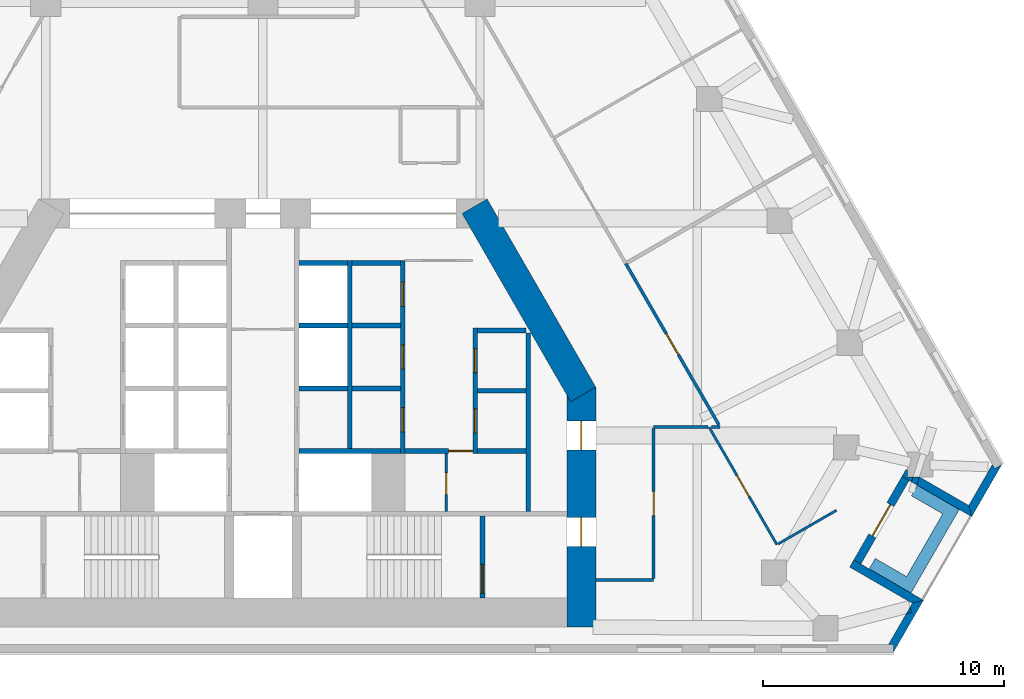
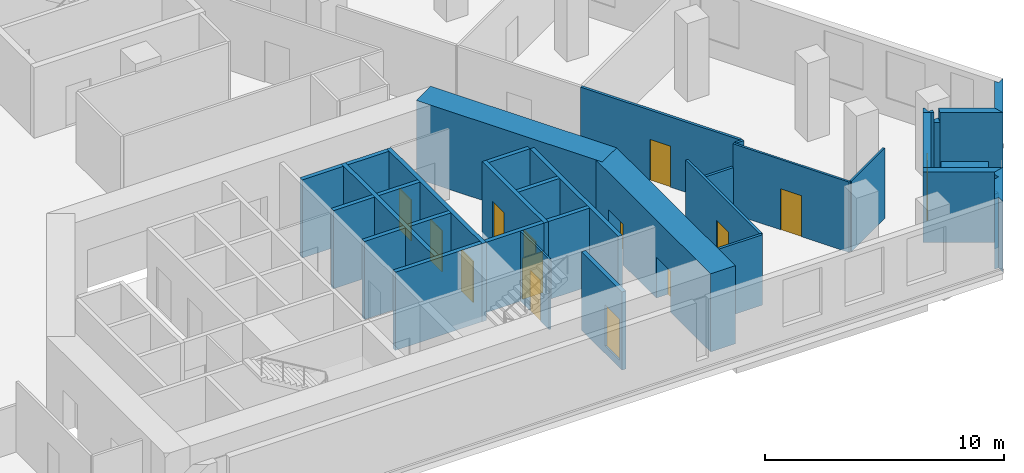
# One storey, part 6 of 9: 35 walls, 14 doors, 14 openings.
"""IFC4 building model written with IfcOpenShell, lengths in metres."""

from ifc_helpers import new_model, si_unit, direction, frame, frame_2d, origin, place, context, subcontext, project, spatial, polyline, rectangle, outline, extrude, material, layer, layer_set, type_object, element, fill, save


model = new_model("IFC4")

# Units and contexts
model_context = context("Model", 3, precision=1e-05, world=origin(), true_north=direction((0.0, 1.0)))
body_context = subcontext(model_context, "Body", "Model", "MODEL_VIEW")
ifc_project = project(units=[si_unit("LENGTHUNIT", "METRE"), si_unit("AREAUNIT", "SQUARE_METRE"), si_unit("VOLUMEUNIT", "CUBIC_METRE"), si_unit("PLANEANGLEUNIT", "RADIAN"), si_unit("MASSUNIT", "GRAM", prefix="KILO")], contexts=[model_context])

# Site, building, storey
site_placement = place(None, origin())
site = spatial("IfcSite", under=ifc_project, at=site_placement, CompositionType="ELEMENT")
building_placement = place(site_placement, origin())
building = spatial("IfcBuilding", under=site, at=building_placement, Name="Fogline Exchange Tower", CompositionType="ELEMENT")
storey_placement = place(building_placement, frame((0.0, 0.0, 100.10009765625)))
storey = spatial("IfcBuildingStorey", under=building, at=storey_placement, Name="L21", CompositionType="ELEMENT", Elevation=100.10009765625)

# Wall, opening, door
ifc_material_1 = material(Name="Blockwork partition", Category="masonry")
ifc_layer_1 = layer(ifc_material_1, 0.10009765625)
ifc_layer_set_1 = layer_set([ifc_layer_1], Name="CW10")
wall_type_1 = type_object("IfcWallType", Name="CW10", PredefinedType="PARTITIONING", material=ifc_layer_set_1)
wall_1_placement = place(storey_placement, frame((7.60009765625, 5.85009765625, 0.0), z_axis=(0.0, 0.0, 1.0), x_axis=(0.0, 1.0, 0.0)))
wall_1 = element("IfcWall", 1, at=wall_1_placement, inside=storey, type_object=wall_type_1, Name="WC partition", PredefinedType="PARTITIONING", context=body_context, shape_type="SweptSolid", body=[
    extrude(rectangle(XDim=2.39990234375, YDim=0.10009765625, at=frame_2d((1.199951171875, 0.0))), origin(), (0.0, 0.0, 1.0), 3.599853515625),
])
opening_1_placement = place(wall_1_placement, frame((0.699951171875, 0.0, 0.0)))
opening_1 = element("IfcOpeningElement", 2, at=opening_1_placement, cuts=wall_1, Name="Opening T06-C014", PredefinedType="OPENING", context=body_context, shape_type="SweptSolid", body=[
    extrude(rectangle(XDim=0.89990234375, YDim=2.10009765625, at=frame_2d((0.449951171875, 1.050048828125))), frame((0.0, 0.06005859375, 0.0), z_axis=(0.0, -1.0, 0.0), x_axis=(1.0, 0.0, 0.0)), (0.0, 0.0, 1.0), 0.1201171875),
])
ifc_material_2 = material(Name="Steel and timber fire door", Category="steel")
door_type_1 = type_object("IfcDoorType", Name="D-CS1", OperationType="SINGLE_SWING_RIGHT", PredefinedType="DOOR", material=ifc_material_2)
door_1_placement = place(opening_1_placement, origin())
door_1 = element("IfcDoor", 3, at=door_1_placement, inside=storey, type_object=door_type_1, Name="Door to Cleaner's Store", OperationType="SINGLE_SWING_LEFT", OverallHeight=2.10009765625, OverallWidth=0.89990234375, PredefinedType="DOOR", context=body_context, shape_type="SweptSolid", body=[
    extrude(rectangle(XDim=0.89990234375, YDim=2.10009765625, at=frame_2d((0.449951171875, 1.050048828125))), frame((0.0, 0.02490234375, 0.0), z_axis=(0.0, -1.0, 0.0), x_axis=(1.0, 0.0, 0.0)), (0.0, 0.0, 1.0), 0.050048828125),
])
fill(opening_1, door_1)

# Wall
ifc_material_3 = material(Name="Concrete C40", Category="concrete")
ifc_layer_2 = layer(ifc_material_3, 0.199951171875)
ifc_layer_set_2 = layer_set([ifc_layer_2], Name="CW20")
wall_type_2 = type_object("IfcWallType", Name="CW20", PredefinedType="SOLIDWALL", material=ifc_layer_set_2)
wall_2_placement = place(storey_placement, frame((11.0, 5.85009765625, 0.0), z_axis=(0.0, 0.0, 1.0), x_axis=(0.0, 1.0, 0.0)))
element("IfcWall", 4, at=wall_2_placement, inside=storey, type_object=wall_type_2, Name="Service room wall", PredefinedType="SOLIDWALL", context=body_context, shape_type="SweptSolid", body=[
    extrude(rectangle(XDim=7.39990234375, YDim=0.199951171875, at=frame_2d((3.699951171875, 0.0))), origin(), (0.0, 0.0, 1.0), 3.599853515625),
])

# Wall, opening, door
wall_3_placement = place(storey_placement, frame((5.89990234375, 8.35009765625, 0.0), z_axis=(0.0, 0.0, 1.0), x_axis=(1.0, 0.0, 0.0)))
wall_3 = element("IfcWall", 5, at=wall_3_placement, inside=storey, type_object=wall_type_2, Name="WC wall", PredefinedType="SOLIDWALL", context=body_context, shape_type="SweptSolid", body=[
    extrude(rectangle(XDim=2.800048828125, YDim=0.199951171875, at=frame_2d((1.39990234375, 0.0))), origin(), (0.0, 0.0, 1.0), 3.599853515625),
])
opening_2_placement = place(wall_3_placement, frame((1.800048828125, 0.0, 0.0)))
opening_2 = element("IfcOpeningElement", 6, at=opening_2_placement, cuts=wall_3, Name="Opening T06-C013", PredefinedType="OPENING", context=body_context, shape_type="SweptSolid", body=[
    extrude(rectangle(XDim=1.0, YDim=2.10009765625, at=frame_2d((0.5, 1.050048828125))), frame((0.0, 0.10986328125, 0.0), z_axis=(0.0, -1.0, 0.0), x_axis=(1.0, 0.0, 0.0)), (0.0, 0.0, 1.0), 0.219970703125),
])
door_type_2 = type_object("IfcDoorType", Name="D-WC1", OperationType="SINGLE_SWING_LEFT", PredefinedType="DOOR", material=ifc_material_2)
door_2_placement = place(opening_2_placement, frame((1.0, 0.0, 0.0), z_axis=(0.0, 0.0, 1.0), x_axis=(-1.0, 0.0, 0.0)))
door_2 = element("IfcDoor", 7, at=door_2_placement, inside=storey, type_object=door_type_2, Name="Door to Women's WC", OperationType="SINGLE_SWING_LEFT", OverallHeight=2.10009765625, OverallWidth=1.0, PredefinedType="DOOR", context=body_context, shape_type="SweptSolid", body=[
    extrude(rectangle(XDim=1.0, YDim=2.10009765625, at=frame_2d((0.5, 1.050048828125))), frame((0.0, 0.02490234375, 0.0), z_axis=(0.0, -1.0, 0.0), x_axis=(1.0, 0.0, 0.0)), (0.0, 0.0, 1.0), 0.050048828125),
])
fill(opening_2, door_2)

ifc_layer_3 = layer(ifc_material_3, 0.199951171875)
ifc_layer_set_3 = layer_set([ifc_layer_3], Name="CW20R")
wall_type_3 = type_object("IfcWallType", Name="CW20R", PredefinedType="SOLIDWALL", material=ifc_layer_set_3)
wall_4_placement = place(storey_placement, frame((9.10009765625, 2.25, -0.400146484375), z_axis=(0.0, 0.0, 1.0), x_axis=(0.0, 1.0, 0.0)))
wall_4 = element("IfcWall", 8, at=wall_4_placement, inside=storey, type_object=wall_type_3, Name="Stair enclosure wall", PredefinedType="SOLIDWALL", context=body_context, shape_type="SweptSolid", body=[
    extrude(rectangle(XDim=3.39990234375, YDim=0.199951171875, at=frame_2d((1.699951171875, 0.0))), origin(), (0.0, 0.0, 1.0), 4.0),
])
opening_3_placement = place(wall_4_placement, frame((0.199951171875, 0.0, 0.39990234375)))
opening_3 = element("IfcOpeningElement", 9, at=opening_3_placement, cuts=wall_4, Name="Opening T06-C016", PredefinedType="OPENING", context=body_context, shape_type="SweptSolid", body=[
    extrude(rectangle(XDim=1.199951171875, YDim=2.10009765625, at=frame_2d((0.60009765625, 1.050048828125))), frame((0.0, 0.10986328125, 0.0), z_axis=(0.0, -1.0, 0.0), x_axis=(1.0, 0.0, 0.0)), (0.0, 0.0, 1.0), 0.219970703125),
])
door_type_3 = type_object("IfcDoorType", Name="D-ST1", OperationType="SINGLE_SWING_LEFT", PredefinedType="DOOR", material=ifc_material_2)
door_3_placement = place(opening_3_placement, origin())
door_3 = element("IfcDoor", 10, at=door_3_placement, inside=storey, type_object=door_type_3, Name="Stair door ST2", OperationType="SINGLE_SWING_LEFT", OverallHeight=2.10009765625, OverallWidth=1.199951171875, PredefinedType="DOOR", context=body_context, shape_type="SweptSolid", body=[
    extrude(rectangle(XDim=1.199951171875, YDim=2.10009765625, at=frame_2d((0.60009765625, 1.050048828125))), frame((0.0, 0.02490234375, 0.0), z_axis=(0.0, -1.0, 0.0), x_axis=(1.0, 0.0, 0.0)), (0.0, 0.0, 1.0), 0.050048828125),
])
fill(opening_3, door_3)

# Wall, openings, doors
ifc_layer_4 = layer(ifc_material_3, 0.199951171875)
ifc_layer_set_4 = layer_set([ifc_layer_4], Name="CW20S")
wall_type_4 = type_object("IfcWallType", Name="CW20S", PredefinedType="SOLIDWALL", material=ifc_layer_set_4)
wall_5_placement = place(storey_placement, frame((8.800048828125, 8.25, -0.400146484375), z_axis=(0.0, 0.0, 1.0), x_axis=(0.0, 1.0, 0.0)))
wall_5 = element("IfcWall", 11, at=wall_5_placement, inside=storey, type_object=wall_type_4, Name="Lift shaft wall", PredefinedType="SOLIDWALL", context=body_context, shape_type="SweptSolid", body=[
    extrude(rectangle(XDim=5.199951171875, YDim=0.199951171875, at=frame_2d((2.60009765625, 0.0))), origin(), (0.0, 0.0, 1.0), 4.0),
])
opening_4_placement = place(wall_5_placement, frame((0.85009765625, 0.0, 0.39990234375)))
opening_4 = element("IfcOpeningElement", 12, at=opening_4_placement, cuts=wall_5, Name="Opening T06-C001", PredefinedType="OPENING", context=body_context, shape_type="SweptSolid", body=[
    extrude(rectangle(XDim=1.0, YDim=2.10009765625, at=frame_2d((0.5, 1.050048828125))), frame((0.0, 0.10986328125, 0.0), z_axis=(0.0, -1.0, 0.0), x_axis=(1.0, 0.0, 0.0)), (0.0, 0.0, 1.0), 0.219970703125),
])
opening_5_placement = place(wall_5_placement, frame((3.35009765625, 0.0, 0.39990234375)))
opening_5 = element("IfcOpeningElement", 13, at=opening_5_placement, cuts=wall_5, Name="Opening T06-C002", PredefinedType="OPENING", context=body_context, shape_type="SweptSolid", body=[
    extrude(rectangle(XDim=1.0, YDim=2.10009765625, at=frame_2d((0.5, 1.050048828125))), frame((0.0, 0.10986328125, 0.0), z_axis=(0.0, -1.0, 0.0), x_axis=(1.0, 0.0, 0.0)), (0.0, 0.0, 1.0), 0.219970703125),
])
door_type_4 = type_object("IfcDoorType", Name="D-RM1", OperationType="SINGLE_SWING_LEFT", PredefinedType="DOOR", material=ifc_material_2)
door_4_placement = place(opening_4_placement, frame((1.0, 0.0, 0.0), z_axis=(0.0, 0.0, 1.0), x_axis=(-1.0, 0.0, 0.0)))
door_4 = element("IfcDoor", 14, at=door_4_placement, inside=storey, type_object=door_type_4, Name="Door to Library Store", OperationType="SINGLE_SWING_LEFT", OverallHeight=2.10009765625, OverallWidth=1.0, PredefinedType="DOOR", context=body_context, shape_type="SweptSolid", body=[
    extrude(rectangle(XDim=1.0, YDim=2.10009765625, at=frame_2d((0.5, 1.050048828125))), frame((0.0, 0.02490234375, 0.0), z_axis=(0.0, -1.0, 0.0), x_axis=(1.0, 0.0, 0.0)), (0.0, 0.0, 1.0), 0.050048828125),
])
fill(opening_4, door_4)
door_5_placement = place(opening_5_placement, frame((1.0, 0.0, 0.0), z_axis=(0.0, 0.0, 1.0), x_axis=(-1.0, 0.0, 0.0)))
door_5 = element("IfcDoor", 15, at=door_5_placement, inside=storey, type_object=door_type_4, Name="Door to Stationery Store", OperationType="SINGLE_SWING_LEFT", OverallHeight=2.10009765625, OverallWidth=1.0, PredefinedType="DOOR", context=body_context, shape_type="SweptSolid", body=[
    extrude(rectangle(XDim=1.0, YDim=2.10009765625, at=frame_2d((0.5, 1.050048828125))), frame((0.0, 0.02490234375, 0.0), z_axis=(0.0, -1.0, 0.0), x_axis=(1.0, 0.0, 0.0)), (0.0, 0.0, 1.0), 0.050048828125),
])
fill(opening_5, door_5)

wall_6_placement = place(storey_placement, frame((5.800048828125, 8.25, -0.400146484375), z_axis=(0.0, 0.0, 1.0), x_axis=(0.0, 1.0, 0.0)))
wall_6 = element("IfcWall", 16, at=wall_6_placement, inside=storey, type_object=wall_type_4, Name="Lift shaft wall", PredefinedType="SOLIDWALL", context=body_context, shape_type="SweptSolid", body=[
    extrude(rectangle(XDim=8.0, YDim=0.199951171875, at=frame_2d((4.0, 0.0))), origin(), (0.0, 0.0, 1.0), 4.0),
])
opening_6_placement = place(wall_6_placement, frame((0.89990234375, 0.0, 0.39990234375)))
opening_6 = element("IfcOpeningElement", 17, at=opening_6_placement, cuts=wall_6, Name="Opening T06-C003", PredefinedType="OPENING", context=body_context, shape_type="SweptSolid", body=[
    extrude(rectangle(XDim=1.0, YDim=2.10009765625, at=frame_2d((0.5, 1.050048828125))), frame((0.0, 0.10986328125, 0.0), z_axis=(0.0, -1.0, 0.0), x_axis=(1.0, 0.0, 0.0)), (0.0, 0.0, 1.0), 0.219970703125),
])
opening_7_placement = place(wall_6_placement, frame((3.5, 0.0, 0.39990234375)))
opening_7 = element("IfcOpeningElement", 18, at=opening_7_placement, cuts=wall_6, Name="Opening T06-C004", PredefinedType="OPENING", context=body_context, shape_type="SweptSolid", body=[
    extrude(rectangle(XDim=1.0, YDim=2.10009765625, at=frame_2d((0.5, 1.050048828125))), frame((0.0, 0.10986328125, 0.0), z_axis=(0.0, -1.0, 0.0), x_axis=(1.0, 0.0, 0.0)), (0.0, 0.0, 1.0), 0.219970703125),
])
opening_8_placement = place(wall_6_placement, frame((6.10009765625, 0.0, 0.39990234375)))
opening_8 = element("IfcOpeningElement", 19, at=opening_8_placement, cuts=wall_6, Name="Opening T06-C005", PredefinedType="OPENING", context=body_context, shape_type="SweptSolid", body=[
    extrude(rectangle(XDim=1.0, YDim=2.10009765625, at=frame_2d((0.5, 1.050048828125))), frame((0.0, 0.10986328125, 0.0), z_axis=(0.0, -1.0, 0.0), x_axis=(1.0, 0.0, 0.0)), (0.0, 0.0, 1.0), 0.219970703125),
])
door_6_placement = place(opening_6_placement, origin())
door_6 = element("IfcDoor", 20, at=door_6_placement, inside=storey, type_object=door_type_4, Name="Door to Records Store", OperationType="SINGLE_SWING_RIGHT", OverallHeight=2.10009765625, OverallWidth=1.0, PredefinedType="DOOR", context=body_context, shape_type="SweptSolid", body=[
    extrude(rectangle(XDim=1.0, YDim=2.10009765625, at=frame_2d((0.5, 1.050048828125))), frame((0.0, 0.02490234375, 0.0), z_axis=(0.0, -1.0, 0.0), x_axis=(1.0, 0.0, 0.0)), (0.0, 0.0, 1.0), 0.050048828125),
])
fill(opening_6, door_6)
door_7_placement = place(opening_7_placement, origin())
door_7 = element("IfcDoor", 21, at=door_7_placement, inside=storey, type_object=door_type_4, Name="Door to Riser Room", OperationType="SINGLE_SWING_LEFT", OverallHeight=2.10009765625, OverallWidth=1.0, PredefinedType="DOOR", context=body_context, shape_type="SweptSolid", body=[
    extrude(rectangle(XDim=1.0, YDim=2.10009765625, at=frame_2d((0.5, 1.050048828125))), frame((0.0, 0.02490234375, 0.0), z_axis=(0.0, -1.0, 0.0), x_axis=(1.0, 0.0, 0.0)), (0.0, 0.0, 1.0), 0.050048828125),
])
fill(opening_7, door_7)
door_8_placement = place(opening_8_placement, origin())
door_8 = element("IfcDoor", 22, at=door_8_placement, inside=storey, type_object=door_type_4, Name="Door to Plant Room", OperationType="SINGLE_SWING_LEFT", OverallHeight=2.10009765625, OverallWidth=1.0, PredefinedType="DOOR", context=body_context, shape_type="SweptSolid", body=[
    extrude(rectangle(XDim=1.0, YDim=2.10009765625, at=frame_2d((0.5, 1.050048828125))), frame((0.0, 0.02490234375, 0.0), z_axis=(0.0, -1.0, 0.0), x_axis=(1.0, 0.0, 0.0)), (0.0, 0.0, 1.0), 0.050048828125),
])
fill(opening_8, door_8)

# Walls
wall_7_placement = place(storey_placement, frame((3.60009765625, 8.449951171875, -0.400146484375), z_axis=(0.0, 0.0, 1.0), x_axis=(0.0, 1.0, 0.0)))
element("IfcWall", 23, at=wall_7_placement, inside=storey, type_object=wall_type_4, Name="Lift shaft wall", PredefinedType="SOLIDWALL", context=body_context, shape_type="SweptSolid", body=[
    extrude(rectangle(XDim=7.800048828125, YDim=0.199951171875, at=frame_2d((3.89990234375, 0.0))), origin(), (0.0, 0.0, 1.0), 4.0),
])
wall_8_placement = place(storey_placement, frame((8.89990234375, 8.35009765625, -0.400146484375), z_axis=(0.0, 0.0, 1.0), x_axis=(1.0, 0.0, 0.0)))
element("IfcWall", 24, at=wall_8_placement, inside=storey, type_object=wall_type_4, Name="Lift shaft wall", PredefinedType="SOLIDWALL", context=body_context, shape_type="SweptSolid", body=[
    extrude(rectangle(XDim=2.0, YDim=0.199951171875, at=frame_2d((1.0, 0.0))), origin(), (0.0, 0.0, 1.0), 4.0),
])
wall_9_placement = place(storey_placement, frame((1.5, 8.35009765625, -0.400146484375), z_axis=(0.0, 0.0, 1.0), x_axis=(1.0, 0.0, 0.0)))
element("IfcWall", 25, at=wall_9_placement, inside=storey, type_object=wall_type_4, Name="Lift shaft wall", PredefinedType="SOLIDWALL", context=body_context, shape_type="SweptSolid", body=[
    extrude(rectangle(XDim=4.199951171875, YDim=0.199951171875, at=frame_2d((2.10009765625, 0.0))), origin(), (0.0, 0.0, 1.0), 4.0),
])
for number, where, z_axis, x_axis, name in (
    (26, (8.89990234375, 10.85009765625, -0.400146484375), (0.0, 0.0, 1.0), (1.0, 0.0, 0.0), "Lift shaft wall"),
    (27, (8.89990234375, 13.35009765625, -0.400146484375), (0.0, 0.0, 1.0), (1.0, 0.0, 0.0), "Lift shaft wall"),
    (28, (3.699951171875, 10.949951171875, -0.400146484375), (0.0, 0.0, 1.0), (1.0, 0.0, 0.0), "Lift shaft wall"),
    (29, (3.699951171875, 13.550048828125, -0.400146484375), (0.0, 0.0, 1.0), (1.0, 0.0, 0.0), "Lift shaft wall"),
    (30, (3.699951171875, 16.14990234375, -0.400146484375), (0.0, 0.0, 1.0), (1.0, 0.0, 0.0), "Lift shaft wall"),
    (31, (1.5, 10.949951171875, -0.400146484375), (0.0, 0.0, 1.0), (1.0, 0.0, 0.0), "Lift shaft wall"),
    (32, (1.5, 13.550048828125, -0.400146484375), (0.0, 0.0, 1.0), (1.0, 0.0, 0.0), "Lift shaft wall"),
    (33, (1.5, 16.14990234375, -0.400146484375), (0.0, 0.0, 1.0), (1.0, 0.0, 0.0), "Lift shaft wall"),
):
    element("IfcWall", number, at=place(storey_placement, frame(where, z_axis=z_axis, x_axis=x_axis)), inside=storey, type_object=wall_type_4, Name=name, PredefinedType="SOLIDWALL", context=body_context, shape_type="SweptSolid", body=[
        extrude(rectangle(XDim=2.0, YDim=0.199951171875, at=frame_2d((1.0, 0.0))), origin(), (0.0, 0.0, 1.0), 4.0),
    ])
ifc_material_4 = material(Name="Brick masonry", Category="masonry")
ifc_layer_5 = layer(ifc_material_4, 0.340087890625)
ifc_layer_set_5 = layer_set([ifc_layer_5], Name="FW1")
wall_type_5 = type_object("IfcWallType", Name="FW1", PredefinedType="SOLIDWALL", material=ifc_layer_set_5)
wall_10_placement = place(storey_placement, origin())
element("IfcWall", 34, at=wall_10_placement, inside=storey, type_object=wall_type_5, Name="Brick wall L21 SE-c1", PredefinedType="SOLIDWALL", context=body_context, shape_type="SweptSolid", body=[
    extrude(outline(polyline([(26.828369140625, 1.876708984375), (26.884765625, 1.6572265625), (26.669677734375, 1.60205078125), (26.828369140625, 1.876708984375)])), origin(), (0.0, 0.0, 1.0), 2.7998046875),
])
wall_11_placement = place(storey_placement, origin())
element("IfcWall", 35, at=wall_11_placement, inside=storey, type_object=wall_type_5, Name="Brick wall L21 SE-c1", PredefinedType="SOLIDWALL", context=body_context, shape_type="SweptSolid", body=[
    extrude(outline(polyline([(26.137939453125, -0.001220703125), (26.137451171875, -0.0009765625), (26.137451171875, 0.33935546875), (25.940673828125, 0.33935546875), (26.669677734375, 1.60205078125), (26.884765625, 1.6572265625), (26.828369140625, 1.876708984375), (26.923095703125, 2.041015625), (27.388916015625, 2.166015625), (27.38916015625, 2.165771484375), (26.137939453125, -0.001220703125)])), origin(), (0.0, 0.0, 1.0), 3.599853515625),
])
wall_12_placement = place(storey_placement, origin())
element("IfcWall", 36, at=wall_12_placement, inside=storey, type_object=wall_type_5, Name="Brick wall L21 SE-s1", PredefinedType="SOLIDWALL", context=body_context, shape_type="SweptSolid", body=[
    extrude(outline(polyline([(24.32470703125, 3.540283203125), (24.495361328125, 3.8359375), (24.790283203125, 3.66552734375), (27.38916015625, 2.1650390625), (27.38916015625, 2.164794921875), (26.923583984375, 2.0400390625), (24.32470703125, 3.540283203125)])), origin(), (0.0, 0.0, 1.0), 3.599853515625),
])

# Wall, opening, door
wall_13_placement = place(storey_placement, frame((24.642822265625, 3.75, 0.0), z_axis=(0.0, 0.0, 1.0), x_axis=(0.49999894854, 0.866026010844, 0.0)))
wall_13 = element("IfcWall", 37, at=wall_13_placement, inside=storey, type_object=wall_type_5, Name="Brick wall L21 SE-bk", PredefinedType="SOLIDWALL", context=body_context, shape_type="SweptSolid", body=[
    extrude(rectangle(XDim=4.0, YDim=0.340087890625, at=frame_2d((2.0, 0.0))), origin(), (0.0, 0.0, 1.0), 3.599853515625),
])
opening_9_placement = place(wall_13_placement, frame((1.25, 0.0, 0.0)))
opening_9 = element("IfcOpeningElement", 38, at=opening_9_placement, cuts=wall_13, Name="Opening T06-E081", PredefinedType="OPENING", context=body_context, shape_type="SweptSolid", body=[
    extrude(rectangle(XDim=1.5, YDim=2.39990234375, at=frame_2d((0.75, 1.199951171875))), frame((0.0, 0.18017578125, 0.0), z_axis=(0.0, -1.0, 0.0), x_axis=(1.0, 0.0, 0.0)), (0.0, 0.0, 1.0), 0.360107421875),
])
ifc_material_5 = material(Name="Aluminium and glass", Category="aluminium")
door_type_5 = type_object("IfcDoorType", Name="ED4", OperationType="SINGLE_SWING_LEFT", PredefinedType="DOOR", material=ifc_material_5)
door_9_placement = place(opening_9_placement, frame((1.5, 0.0, 0.0), z_axis=(0.0, 0.0, 1.0), x_axis=(-1.0, 0.0, 0.0)))
door_9 = element("IfcDoor", 39, at=door_9_placement, inside=storey, type_object=door_type_5, Name="Balcony door L21 SE", OperationType="DOUBLE_DOOR_SINGLE_SWING", OverallHeight=2.39990234375, OverallWidth=1.5, PredefinedType="DOOR", context=body_context, shape_type="SweptSolid", body=[
    extrude(rectangle(XDim=1.5, YDim=2.39990234375, at=frame_2d((0.75, 1.199951171875))), frame((0.0, 0.02490234375, 0.0), z_axis=(0.0, -1.0, 0.0), x_axis=(1.0, 0.0, 0.0)), (0.0, 0.0, 1.0), 0.050048828125),
])
fill(opening_9, door_9)

# Walls
wall_14_placement = place(storey_placement, origin())
element("IfcWall", 40, at=wall_14_placement, inside=storey, type_object=wall_type_5, Name="Brick wall L21 SE-s2", PredefinedType="SOLIDWALL", context=body_context, shape_type="SweptSolid", body=[
    extrude(outline(polyline([(26.887451171875, 7.072265625), (26.9501953125, 7.269287109375), (27.212646484375, 7.269287109375), (27.10888671875, 6.9443359375), (26.887451171875, 7.072265625)])), origin(), (0.0, 0.0, 1.0), 3.099853515625),
])
wall_15_placement = place(storey_placement, origin())
element("IfcWall", 41, at=wall_15_placement, inside=storey, type_object=wall_type_5, Name="Brick wall L21 SE-s2", PredefinedType="SOLIDWALL", context=body_context, shape_type="SweptSolid", body=[
    extrude(outline(polyline([(27.10888671875, 6.9443359375), (27.212646484375, 7.269287109375), (27.228515625, 7.269287109375), (29.26416015625, 6.093994140625), (29.388916015625, 5.62841796875), (29.388671875, 5.628173828125), (27.10888671875, 6.9443359375)])), origin(), (0.0, 0.0, 1.0), 3.599853515625),
])
wall_16_placement = place(storey_placement, origin())
element("IfcWall", 42, at=wall_16_placement, inside=storey, type_object=wall_type_5, Name="Brick wall L21 SE-s2", PredefinedType="SOLIDWALL", context=body_context, shape_type="SweptSolid", body=[
    extrude(outline(polyline([(26.78955078125, 7.128662109375), (26.49462890625, 7.298828125), (26.665283203125, 7.594482421875), (26.72412109375, 7.560546875), (26.72412109375, 7.269287109375), (26.9501953125, 7.269287109375), (26.887451171875, 7.072265625), (26.78955078125, 7.128662109375)])), origin(), (0.0, 0.0, 1.0), 3.599853515625),
])
wall_17_placement = place(storey_placement, origin())
element("IfcWall", 43, at=wall_17_placement, inside=storey, type_object=wall_type_5, Name="Brick wall L21 SE-c2", PredefinedType="SOLIDWALL", context=body_context, shape_type="SweptSolid", body=[
    extrude(outline(polyline([(30.245361328125, 7.79541015625), (30.34375, 7.625), (30.638671875, 7.79541015625), (30.63916015625, 7.794921875), (29.387939453125, 5.6279296875), (29.3876953125, 5.6279296875), (29.262939453125, 6.09375), (30.245361328125, 7.79541015625)])), origin(), (0.0, 0.0, 1.0), 3.599853515625),
])
ifc_material_6 = material(Name="Concrete C30", Category="concrete")
ifc_layer_6 = layer(ifc_material_6, 0.199951171875)
ifc_layer_set_6 = layer_set([ifc_layer_6], Name="PL1")
wall_type_6 = type_object("IfcWallType", Name="PL1", PredefinedType="USERDEFINED", material=ifc_layer_set_6)
wall_18_placement = place(storey_placement, origin())
element("IfcWall", 44, at=wall_18_placement, inside=storey, type_object=wall_type_6, Name="PLANTER balcony L21 SE", ObjectType="PLANTER", PredefinedType="USERDEFINED", context=body_context, shape_type="SweptSolid", body=[
    extrude(outline(polyline([(25.136474609375, 3.465087890625), (26.435302734375, 2.715087890625), (26.435302734375, 2.715087890625), (26.868408203125, 2.465087890625), (28.868408203125, 5.92919921875), (27.136474609375, 6.92919921875), (26.886474609375, 6.49609375), (28.185302734375, 5.74609375), (26.685302734375, 3.148193359375), (25.386474609375, 3.898193359375), (25.136474609375, 3.465087890625)])), origin(), (0.0, 0.0, 1.0), 1.099853515625),
])

# Wall, opening, door
ifc_material_7 = material(Name="Plasterboard partition, 2 layers each side on steel studs", Category="steel")
ifc_layer_7 = layer(ifc_material_7, 0.10009765625)
ifc_layer_set_7 = layer_set([ifc_layer_7], Name="PW1")
wall_type_7 = type_object("IfcWallType", Name="PW1", PredefinedType="PARTITIONING", material=ifc_layer_set_7)
wall_19_placement = place(storey_placement, frame((18.498779296875, 9.340087890625, 0.0), z_axis=(0.0, 0.0, 1.0), x_axis=(0.500014308813, -0.86601714243, 0.0)))
wall_19 = element("IfcWall", 45, at=wall_19_placement, inside=storey, type_object=wall_type_7, Name="wall-L21-W044", PredefinedType="PARTITIONING", context=body_context, shape_type="SweptSolid", body=[
    extrude(rectangle(XDim=5.623779296875, YDim=0.10009765625, at=frame_2d((2.81201171875, 0.0))), origin(), (0.0, 0.0, 1.0), 3.599853515625),
])
opening_10_placement = place(wall_19_placement, frame((2.31201171875, 0.0, 0.0)))
opening_10 = element("IfcOpeningElement", 46, at=opening_10_placement, cuts=wall_19, Name="Opening T06-D019", PredefinedType="OPENING", context=body_context, shape_type="SweptSolid", body=[
    extrude(rectangle(XDim=1.0, YDim=2.10009765625, at=frame_2d((0.5, 1.050048828125))), frame((0.0, 0.06005859375, 0.0), z_axis=(0.0, -1.0, 0.0), x_axis=(1.0, 0.0, 0.0)), (0.0, 0.0, 1.0), 0.1201171875),
])
ifc_material_8 = material(Name="Timber door leaf with steel frame", Category="steel")
door_type_6 = type_object("IfcDoorType", Name="D1", OperationType="SINGLE_SWING_LEFT", PredefinedType="DOOR", material=ifc_material_8)
door_10_placement = place(opening_10_placement, frame((1.0, 0.0, 0.0), z_axis=(0.0, 0.0, 1.0), x_axis=(-1.0, 0.0, 0.0)))
door_10 = element("IfcDoor", 47, at=door_10_placement, inside=storey, type_object=door_type_6, Name="door-L21-D019", OperationType="SINGLE_SWING_RIGHT", OverallHeight=2.10009765625, OverallWidth=1.0, PredefinedType="DOOR", context=body_context, shape_type="SweptSolid", body=[
    extrude(rectangle(XDim=1.0, YDim=2.10009765625, at=frame_2d((0.5, 1.050048828125))), frame((0.0, 0.02490234375, 0.0), z_axis=(0.0, -1.0, 0.0), x_axis=(1.0, 0.0, 0.0)), (0.0, 0.0, 1.0), 0.050048828125),
])
fill(opening_10, door_10)

# Wall
wall_20_placement = place(storey_placement, frame((21.35400390625, 4.49462890625, 0.0), z_axis=(0.0, 0.0, 1.0), x_axis=(0.866024457297, 0.500001639361, 0.0)))
element("IfcWall", 48, at=wall_20_placement, inside=storey, type_object=wall_type_7, Name="wall-L21-W045", PredefinedType="PARTITIONING", context=body_context, shape_type="SweptSolid", body=[
    extrude(rectangle(XDim=2.80078125, YDim=0.10009765625, at=frame_2d((1.400390625, 0.0))), origin(), (0.0, 0.0, 1.0), 3.599853515625),
])

# Wall, opening, door
ifc_material_9 = material(Name="Plasterboard corridor partition with mineral wool, 2 layers each side")
ifc_layer_8 = layer(ifc_material_9, 0.125)
ifc_layer_set_8 = layer_set([ifc_layer_8], Name="PW2")
wall_type_8 = type_object("IfcWallType", Name="PW2", PredefinedType="PARTITIONING", material=ifc_layer_set_8)
wall_21_placement = place(storey_placement, frame((16.199951171875, 9.277587890625, 0.0), z_axis=(0.0, 0.0, 1.0), x_axis=(0.0, -1.0, 0.0)))
wall_21 = element("IfcWall", 49, at=wall_21_placement, inside=storey, type_object=wall_type_8, Name="wall-L21-W001", PredefinedType="PARTITIONING", context=body_context, shape_type="SweptSolid", body=[
    extrude(rectangle(XDim=6.215087890625, YDim=0.125, at=frame_2d((3.107421875, 0.0))), origin(), (0.0, 0.0, 1.0), 3.599853515625),
])
opening_11_placement = place(wall_21_placement, frame((2.607421875, 0.0, 0.0)))
opening_11 = element("IfcOpeningElement", 50, at=opening_11_placement, cuts=wall_21, Name="Opening T06-D001", PredefinedType="OPENING", context=body_context, shape_type="SweptSolid", body=[
    extrude(rectangle(XDim=1.0, YDim=2.10009765625, at=frame_2d((0.5, 1.050048828125))), frame((0.0, 0.072509765625, 0.0), z_axis=(0.0, -1.0, 0.0), x_axis=(1.0, 0.0, 0.0)), (0.0, 0.0, 1.0), 0.14501953125),
])
ifc_material_10 = material(Name="Fire-rated timber door leaf with steel frame", Category="steel")
door_type_7 = type_object("IfcDoorType", Name="D3", OperationType="SINGLE_SWING_LEFT", PredefinedType="DOOR", material=ifc_material_10)
door_11_placement = place(opening_11_placement, origin())
door_11 = element("IfcDoor", 51, at=door_11_placement, inside=storey, type_object=door_type_7, Name="door-L21-D001", OperationType="SINGLE_SWING_LEFT", OverallHeight=2.10009765625, OverallWidth=1.0, PredefinedType="DOOR", context=body_context, shape_type="SweptSolid", body=[
    extrude(rectangle(XDim=1.0, YDim=2.10009765625, at=frame_2d((0.5, 1.050048828125))), frame((0.0, 0.02490234375, 0.0), z_axis=(0.0, -1.0, 0.0), x_axis=(1.0, 0.0, 0.0)), (0.0, 0.0, 1.0), 0.050048828125),
])
fill(opening_11, door_11)

# Walls
wall_22_placement = place(storey_placement, frame((16.199951171875, 3.0, 0.0), z_axis=(0.0, 0.0, 1.0), x_axis=(-1.0, 0.0, 0.0)))
element("IfcWall", 52, at=wall_22_placement, inside=storey, type_object=wall_type_8, Name="wall-L21-W002", PredefinedType="PARTITIONING", context=body_context, shape_type="SweptSolid", body=[
    extrude(rectangle(XDim=2.39990234375, YDim=0.125, at=frame_2d((1.199951171875, 0.0))), origin(), (0.0, 0.0, 1.0), 3.599853515625),
])
wall_23_placement = place(storey_placement, frame((18.455078125, 9.340087890625, 0.0), z_axis=(0.0, 0.0, 1.0), x_axis=(-1.0, 0.0, 0.0)))
element("IfcWall", 53, at=wall_23_placement, inside=storey, type_object=wall_type_8, Name="wall-L21-W024", PredefinedType="PARTITIONING", context=body_context, shape_type="SweptSolid", body=[
    extrude(rectangle(XDim=2.255126953125, YDim=0.125, at=frame_2d((1.12744140625, 0.0))), origin(), (0.0, 0.0, 1.0), 2.39990234375),
])

# Wall, opening, door
wall_24_placement = place(storey_placement, frame((15.043701171875, 16.12451171875, 0.0), z_axis=(0.0, 0.0, 1.0), x_axis=(0.499983247966, -0.86603507536, 0.0)))
wall_24 = element("IfcWall", 54, at=wall_24_placement, inside=storey, type_object=wall_type_8, Name="wall-L21-W025", PredefinedType="PARTITIONING", context=body_context, shape_type="SweptSolid", body=[
    extrude(rectangle(XDim=7.725341796875, YDim=0.125, at=frame_2d((3.86279296875, 0.0))), origin(), (0.0, 0.0, 1.0), 3.599853515625),
])
opening_12_placement = place(wall_24_placement, frame((3.36279296875, 0.0, 0.0)))
opening_12 = element("IfcOpeningElement", 55, at=opening_12_placement, cuts=wall_24, Name="Opening T06-D012", PredefinedType="OPENING", context=body_context, shape_type="SweptSolid", body=[
    extrude(rectangle(XDim=1.0, YDim=2.10009765625, at=frame_2d((0.5, 1.050048828125))), frame((0.0, 0.072509765625, 0.0), z_axis=(0.0, -1.0, 0.0), x_axis=(1.0, 0.0, 0.0)), (0.0, 0.0, 1.0), 0.14501953125),
])
door_12_placement = place(opening_12_placement, origin())
door_12 = element("IfcDoor", 56, at=door_12_placement, inside=storey, type_object=door_type_7, Name="door-L21-D012", OperationType="SINGLE_SWING_RIGHT", OverallHeight=2.10009765625, OverallWidth=1.0, PredefinedType="DOOR", context=body_context, shape_type="SweptSolid", body=[
    extrude(rectangle(XDim=1.0, YDim=2.10009765625, at=frame_2d((0.5, 1.050048828125))), frame((0.0, 0.02490234375, 0.0), z_axis=(0.0, -1.0, 0.0), x_axis=(1.0, 0.0, 0.0)), (0.0, 0.0, 1.0), 0.050048828125),
])
fill(opening_12, door_12)

# Wall
wall_25_placement = place(storey_placement, frame((18.960693359375, 9.340087890625, 0.0), z_axis=(0.0, 0.0, 1.0), x_axis=(-1.0, 0.0, 0.0)))
element("IfcWall", 57, at=wall_25_placement, inside=storey, type_object=wall_type_8, Name="wall-L21-W026", PredefinedType="PARTITIONING", context=body_context, shape_type="SweptSolid", body=[
    extrude(rectangle(XDim=0.36767578125, YDim=0.125, at=frame_2d((0.183837890625, 0.0))), origin(), (0.0, 0.0, 1.0), 3.599853515625),
])

# Wall, openings, doors
ifc_material_11 = material(Name="Concrete C60", Category="concrete")
ifc_layer_9 = layer(ifc_material_11, 1.199951171875)
ifc_layer_set_9 = layer_set([ifc_layer_9], Name="SW02")
wall_type_9 = type_object("IfcWallType", Name="SW02", PredefinedType="SHEAR", material=ifc_layer_set_9)
wall_26_placement = place(storey_placement, frame((13.199951171875, 1.050048828125, 0.0), z_axis=(0.0, 0.0, 1.0), x_axis=(0.0, 1.0, 0.0)))
wall_26 = element("IfcWall", 58, at=wall_26_placement, inside=storey, type_object=wall_type_9, Name="L21-W902", PredefinedType="SHEAR", context=body_context, shape_type="SweptSolid", body=[
    extrude(rectangle(XDim=9.948974609375, YDim=1.199951171875, at=frame_2d((4.974609375, 0.0))), origin(), (0.0, 0.0, 1.0), 4.0),
])
opening_13_placement = place(wall_26_placement, frame((3.35009765625, 0.0, 0.0)))
opening_13 = element("IfcOpeningElement", 59, at=opening_13_placement, cuts=wall_26, Name="Opening T06-C015", PredefinedType="OPENING", context=body_context, shape_type="SweptSolid", body=[
    extrude(rectangle(XDim=1.199951171875, YDim=2.10009765625, at=frame_2d((0.60009765625, 1.050048828125))), frame((0.0, 0.60986328125, 0.0), z_axis=(0.0, -1.0, 0.0), x_axis=(1.0, 0.0, 0.0)), (0.0, 0.0, 1.0), 1.219970703125),
])
opening_14_placement = place(wall_26_placement, frame((7.35009765625, 0.0, 0.0)))
opening_14 = element("IfcOpeningElement", 60, at=opening_14_placement, cuts=wall_26, Name="Opening T06-C017", PredefinedType="OPENING", context=body_context, shape_type="SweptSolid", body=[
    extrude(rectangle(XDim=1.199951171875, YDim=2.10009765625, at=frame_2d((0.60009765625, 1.050048828125))), frame((0.0, 0.60986328125, 0.0), z_axis=(0.0, -1.0, 0.0), x_axis=(1.0, 0.0, 0.0)), (0.0, 0.0, 1.0), 1.219970703125),
])
door_type_8 = type_object("IfcDoorType", Name="D-FR1", OperationType="SINGLE_SWING_RIGHT", PredefinedType="DOOR", material=ifc_material_2)
door_13_placement = place(opening_13_placement, origin())
door_13 = element("IfcDoor", 61, at=door_13_placement, inside=storey, type_object=door_type_8, Name="Front room door ST2", OperationType="SINGLE_SWING_RIGHT", OverallHeight=2.10009765625, OverallWidth=1.199951171875, PredefinedType="DOOR", context=body_context, shape_type="SweptSolid", body=[
    extrude(rectangle(XDim=1.199951171875, YDim=2.10009765625, at=frame_2d((0.60009765625, 1.050048828125))), frame((0.0, 0.02490234375, 0.0), z_axis=(0.0, -1.0, 0.0), x_axis=(1.0, 0.0, 0.0)), (0.0, 0.0, 1.0), 0.050048828125),
])
fill(opening_13, door_13)
door_type_9 = type_object("IfcDoorType", Name="D-SV1", OperationType="SINGLE_SWING_LEFT", PredefinedType="DOOR", material=ifc_material_2)
door_14_placement = place(opening_14_placement, origin())
door_14 = element("IfcDoor", 62, at=door_14_placement, inside=storey, type_object=door_type_9, Name="Service door E", OperationType="SINGLE_SWING_RIGHT", OverallHeight=2.10009765625, OverallWidth=1.199951171875, PredefinedType="DOOR", context=body_context, shape_type="SweptSolid", body=[
    extrude(rectangle(XDim=1.199951171875, YDim=2.10009765625, at=frame_2d((0.60009765625, 1.050048828125))), frame((0.0, 0.02490234375, 0.0), z_axis=(0.0, -1.0, 0.0), x_axis=(1.0, 0.0, 0.0)), (0.0, 0.0, 1.0), 0.050048828125),
])
fill(opening_14, door_14)

# Wall
wall_27_placement = place(storey_placement, frame((13.280517578125, 10.698974609375, 0.0), z_axis=(0.0, 0.0, 1.0), x_axis=(-0.499998513025, 0.866026262288, 0.0)))
element("IfcWall", 63, at=wall_27_placement, inside=storey, type_object=wall_type_9, Name="L21-W903", PredefinedType="SHEAR", context=body_context, shape_type="SweptSolid", body=[
    extrude(rectangle(XDim=9.0078125, YDim=1.199951171875, at=frame_2d((4.50390625, 0.0))), origin(), (0.0, 0.0, 1.0), 4.0),
])

save(model, "model.ifc")
